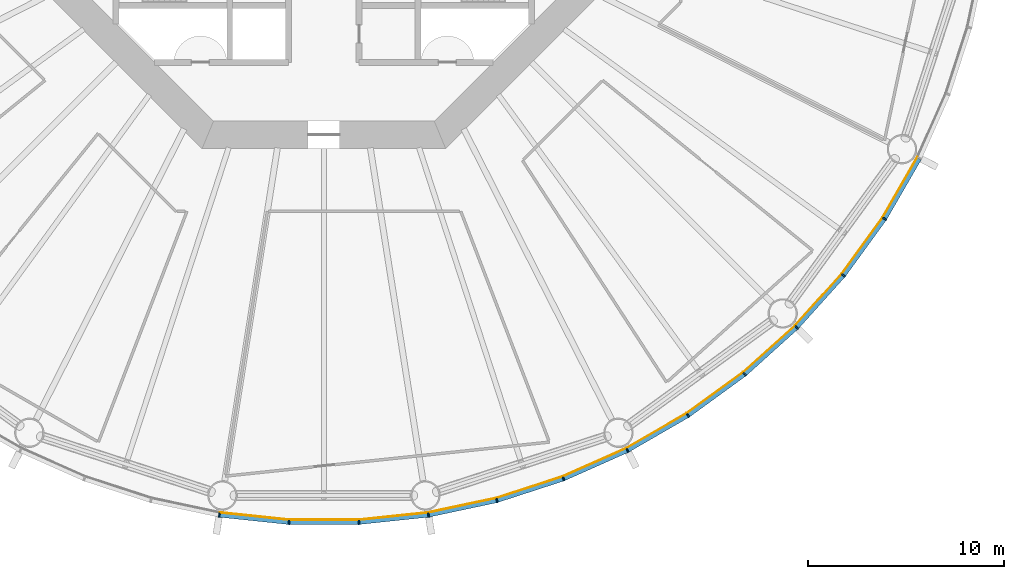
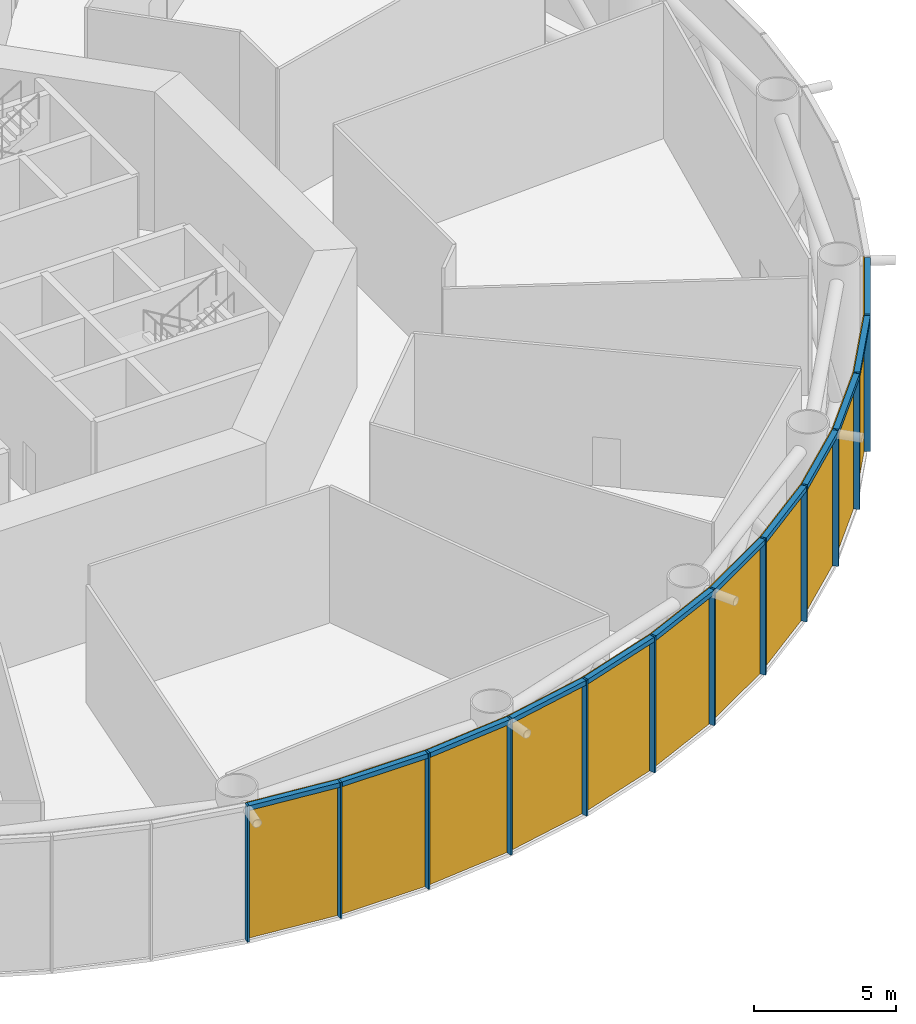
# One storey, part 9 of 14: 24 members, 4 curtain walls.
"""IFC4 building model written with IfcOpenShell, lengths in metres."""

import ifcopenshell
import ifcopenshell.guid

model = None  # the IFC model being written
_history = None  # IfcOwnerHistory: only IFC2X3 demands one
_inside = {}  # id of a spatial element -> (the spatial element, [elements in it])
_under = {}  # id of a project, library or spatial element -> (it, [spatial elements below it])
_declared = {}  # id of a project -> (the project, [libraries it declares])
_typed = {}  # id of a type object -> (the type object, [elements of that type])
_made_of = {}  # id of a material, layer set ... -> (it, [elements and type objects made of it])


def new_model(schema):
    """Start an empty IFC model of exactly this schema.

    Asked for "IFC4X3", IfcOpenShell would pick the latest addendum, in which some entities
    have other attributes; the version numbers below select the first issue.
    IFC2X3 requires an IfcOwnerHistory on every rooted entity: one is made here for all.
    """
    global model, _history
    if schema == "IFC4X3":
        model = ifcopenshell.file(schema_version=(4, 3, 0, 0))
    else:
        model = ifcopenshell.file(schema=schema)
    _inside.clear()
    _under.clear()
    _declared.clear()
    _typed.clear()
    _made_of.clear()
    _history = None
    if model.schema == "IFC2X3":
        org = make("IfcOrganization", Name="unknown")
        user = make(
            "IfcPersonAndOrganization",
            ThePerson=make("IfcPerson", FamilyName="unknown"),
            TheOrganization=org,
        )
        app = make(
            "IfcApplication",
            ApplicationDeveloper=org,
            Version="unknown",
            ApplicationFullName="unknown",
            ApplicationIdentifier="unknown",
        )
        _history = make(
            "IfcOwnerHistory",
            OwningUser=user,
            OwningApplication=app,
            ChangeAction="ADDED",
            CreationDate=0,
        )
    return model


def make(cls, **values):
    """One entity of the class cls with the attributes given. An attribute that is None is left unset."""
    return model.create_entity(
        cls, **{name: value for name, value in values.items() if value is not None}
    )


def rooted(cls, **values):
    """An entity with a GlobalId (a new one), such as an element, a storey or a relation."""
    return make(cls, GlobalId=ifcopenshell.guid.new(), OwnerHistory=_history, **values)


def si_unit(unit_type, name, prefix=None):
    """IfcSIUnit, for example si_unit("LENGTHUNIT", "METRE", prefix="MILLI")."""
    return make("IfcSIUnit", UnitType=unit_type, Prefix=prefix, Name=name)


def assignment(units):
    """IfcUnitAssignment: the units of a project."""
    return None if units is None else make("IfcUnitAssignment", Units=units)


def point(xyz):
    """IfcCartesianPoint."""
    return None if xyz is None else make("IfcCartesianPoint", Coordinates=xyz)


def direction(xyz):
    """IfcDirection."""
    return None if xyz is None else make("IfcDirection", DirectionRatios=xyz)


def frame(location, z_axis=None, x_axis=None):
    """IfcAxis2Placement3D, a coordinate frame: its origin and axes. An axis left out is left unset."""
    return make(
        "IfcAxis2Placement3D",
        Location=point(location),
        Axis=direction(z_axis),
        RefDirection=direction(x_axis),
    )


def frame_2d(location, x_axis=None):
    """IfcAxis2Placement2D, a coordinate frame in the plane: its origin and x axis."""
    return make(
        "IfcAxis2Placement2D", Location=point(location), RefDirection=direction(x_axis)
    )


def origin():
    """The frame at (0, 0, 0) with its axes left unset."""
    return frame((0.0, 0.0, 0.0))


def origin_2d():
    """The frame at (0, 0) in the plane with its x axis left unset."""
    return frame_2d((0.0, 0.0))


def place(relative_to, where):
    """IfcLocalPlacement: puts the frame where relative to a parent placement (None: the world)."""
    return make(
        "IfcLocalPlacement", PlacementRelTo=relative_to, RelativePlacement=where
    )


def context(
    kind, dimensions, precision=None, world=None, true_north=None, identifier=None
):
    """IfcGeometricRepresentationContext, for example the 3D "Model" context."""
    return make(
        "IfcGeometricRepresentationContext",
        ContextIdentifier=identifier,
        ContextType=kind,
        CoordinateSpaceDimension=dimensions,
        Precision=precision,
        WorldCoordinateSystem=world,
        TrueNorth=true_north,
    )


def subcontext(parent, identifier, kind, view, scale=None):
    """IfcGeometricRepresentationSubContext, for example "Body" below "Model"."""
    return make(
        "IfcGeometricRepresentationSubContext",
        ContextIdentifier=identifier,
        ContextType=kind,
        ParentContext=parent,
        TargetScale=scale,
        TargetView=view,
    )


def project(units=None, contexts=None):
    """IfcProject with its units and contexts."""
    return rooted(
        "IfcProject",
        Name="project",
        RepresentationContexts=contexts,
        UnitsInContext=assignment(units),
    )


def spatial(cls, under=None, at=None, **own):
    """A site, building, storey or space (cls), placed at a placement, below another one or the project."""
    s = rooted(cls, ObjectPlacement=at, **own)
    if under is not None:
        _under.setdefault(under.id(), (under, []))[1].append(s)
    return s


def polyline(points):
    """IfcPolyline through the points."""
    return make("IfcPolyline", Points=[point(p) for p in points])


def profile(cls, at=None, kind="AREA", **sizes):
    """A parametric profile (cls). Its sizes go by their IFC names, for example OverallWidth=200.0."""
    return make(cls, ProfileType=kind, Position=at, **sizes)


def rectangle(**sizes):
    """IfcRectangleProfileDef."""
    return profile("IfcRectangleProfileDef", **sizes)


def outline(outer, holes=None, kind="AREA"):
    """IfcArbitraryClosedProfileDef: a profile drawn as a closed curve; with holes, ...WithVoids."""
    if holes is None:
        return make("IfcArbitraryClosedProfileDef", ProfileType=kind, OuterCurve=outer)
    return make(
        "IfcArbitraryProfileDefWithVoids",
        ProfileType=kind,
        OuterCurve=outer,
        InnerCurves=holes,
    )


def extrude(swept, where, along, depth):
    """IfcExtrudedAreaSolid: the profile swept, set in the frame where, extruded along a direction by depth."""
    return make(
        "IfcExtrudedAreaSolid",
        SweptArea=swept,
        Position=where,
        ExtrudedDirection=direction(along),
        Depth=depth,
    )


def shape(context_of_items, identifier, shape_type, items):
    """IfcShapeRepresentation: the items that make up one representation, for example the "Body"."""
    return make(
        "IfcShapeRepresentation",
        ContextOfItems=context_of_items,
        RepresentationIdentifier=identifier,
        RepresentationType=shape_type,
        Items=items,
    )


def material(Name=None, Category=None):
    """IfcMaterial."""
    return make("IfcMaterial", Name=Name, Category=Category)


def layer(
    of_material, thickness, ventilated=None, Name=None, Category=None, Priority=None
):
    """IfcMaterialLayer: one layer of a wall or slab, of a material (None: an air gap)."""
    return make(
        "IfcMaterialLayer",
        Material=of_material,
        LayerThickness=thickness,
        IsVentilated=ventilated,
        Name=Name,
        Category=Category,
        Priority=Priority,
    )


def layer_set(layers, Name=None):
    """IfcMaterialLayerSet."""
    return make("IfcMaterialLayerSet", MaterialLayers=layers, LayerSetName=Name)


def material_profile(
    of_material, cross_section, Name=None, Category=None, Priority=None
):
    """IfcMaterialProfile: a cross section and its material."""
    return make(
        "IfcMaterialProfile",
        Name=Name,
        Material=of_material,
        Profile=cross_section,
        Priority=Priority,
        Category=Category,
    )


def profile_set(profiles, Name=None, composite=None):
    """IfcMaterialProfileSet."""
    return make(
        "IfcMaterialProfileSet",
        Name=Name,
        MaterialProfiles=profiles,
        CompositeProfile=composite,
    )


def made_of(thing, what):
    """Note that an element or type object is made of a material, layer set ...; save() writes the relation."""
    if what is not None:
        _made_of.setdefault(what.id(), (what, []))[1].append(thing)
    return thing


def type_object(cls, material=None, **own):
    """A type object (cls), such as IfcWallType, which elements share."""
    return made_of(rooted(cls, **own), material)


def element(
    cls,
    number,
    at=None,
    inside=None,
    cuts=None,
    type_object=None,
    material=None,
    context=None,
    identifier="Body",
    shape_type=None,
    held_by="IfcProductDefinitionShape",
    body=None,
    shapes=None,
    **own,
):
    """One element of the class cls, such as IfcWall. Its Tag is "e" and its number.

    at: its placement. inside: the storey or other place that contains it. cuts: it is an
    opening in that element (IfcRelVoidsElement). A single representation is given by context,
    identifier, shape_type and body (its items); several are given by shapes. held_by: the class
    of the entity that holds the representations. save() writes the other relations.
    """
    e = rooted(cls, Tag="e%d" % number, ObjectPlacement=at, **own)
    if body is not None:
        shapes = [shape(context, identifier, shape_type, body)]
    if shapes is not None:
        e.Representation = make(held_by, Representations=shapes)
    if inside is not None:
        _inside.setdefault(inside.id(), (inside, []))[1].append(e)
    if cuts is not None:
        rooted(
            "IfcRelVoidsElement", RelatingBuildingElement=cuts, RelatedOpeningElement=e
        )
    if type_object is not None:
        _typed.setdefault(type_object.id(), (type_object, []))[1].append(e)
    return made_of(e, material)


def aggregate(whole, parts):
    """IfcRelAggregates: a whole, such as a stair, and the parts it consists of."""
    return rooted("IfcRelAggregates", RelatingObject=whole, RelatedObjects=parts)


def save(model, path):
    """Write the relations noted so far, then the file.

    IfcRelAggregates (storeys below a building ...), IfcRelContainedInSpatialStructure (elements
    in a storey), IfcRelDefinesByType, IfcRelAssociatesMaterial and IfcRelDeclares: one each for
    every whole, place, type object, material and project.
    """
    for whole, parts in _under.values():
        aggregate(whole, parts)
    for where, things in _inside.values():
        rooted(
            "IfcRelContainedInSpatialStructure",
            RelatedElements=things,
            RelatingStructure=where,
        )
    for kind, things in _typed.values():
        rooted("IfcRelDefinesByType", RelatedObjects=things, RelatingType=kind)
    for what, things in _made_of.values():
        rooted("IfcRelAssociatesMaterial", RelatedObjects=things, RelatingMaterial=what)
    for by, libraries in _declared.values():
        rooted("IfcRelDeclares", RelatingContext=by, RelatedDefinitions=libraries)
    model.write(path)


model = new_model("IFC4")

# Units and contexts
model_context = context("Model", 3, precision=1e-05, world=origin(), true_north=direction((0.0, 1.0)))
body_context = subcontext(model_context, "Body", "Model", "MODEL_VIEW")
ifc_project = project(units=[si_unit("LENGTHUNIT", "METRE"), si_unit("AREAUNIT", "SQUARE_METRE"), si_unit("VOLUMEUNIT", "CUBIC_METRE"), si_unit("PLANEANGLEUNIT", "RADIAN"), si_unit("MASSUNIT", "GRAM", prefix="KILO")], contexts=[model_context])

# Member
ifc_material_1 = material(Name="Anodised aluminium", Category="aluminium")
ifc_material_profile_1 = material_profile(ifc_material_1, rectangle(XDim=0.074951171875, YDim=0.219970703125, at=origin_2d()), Name="Mullion 75 x 220 mm anodised aluminium")
ifc_profile_set_1 = profile_set([ifc_material_profile_1], Name="Anodised aluminium")
member_type_1 = type_object("IfcMemberType", Name="Mullion 75 x 220 mm anodised aluminium", PredefinedType="MULLION", material=ifc_profile_set_1)
site_placement = place(None, origin())
building_placement = place(site_placement, origin())
storey_placement = place(building_placement, frame((0.0, 0.0, 12.0)))
member_1_placement = place(storey_placement, frame((84.6640625, 46.31005859375, 0.0), z_axis=(0.0, 0.0, 1.0), x_axis=(0.987688340595, -0.15643446504, 0.0)))
member_1 = element("IfcMember", 1, at=member_1_placement, type_object=member_type_1, Name="MULLION L01-42", PredefinedType="MULLION", context=body_context, shape_type="SweptSolid", body=[
    extrude(rectangle(XDim=0.074951171875, YDim=0.219970703125, at=origin_2d()), origin(), (0.0, 0.0, 1.0), 5.85009765625),
])

member_2_placement = place(storey_placement, frame((88.21484375, 45.936767578125, 0.0), z_axis=(0.0, 0.0, 1.0), x_axis=(0.998629534755, -0.052335956243, 0.0)))
member_2 = element("IfcMember", 2, at=member_2_placement, type_object=member_type_1, Name="MULLION L01-43", PredefinedType="MULLION", context=body_context, shape_type="SweptSolid", body=[
    extrude(rectangle(XDim=0.074951171875, YDim=0.219970703125, at=origin_2d()), origin(), (0.0, 0.0, 1.0), 5.85009765625),
])

member_3_placement = place(storey_placement, frame((91.78515625, 45.936767578125, 0.0), z_axis=(0.0, 0.0, 1.0), x_axis=(0.998629534755, 0.052335956243, 0.0)))
member_3 = element("IfcMember", 3, at=member_3_placement, type_object=member_type_1, Name="MULLION L01-44", PredefinedType="MULLION", context=body_context, shape_type="SweptSolid", body=[
    extrude(rectangle(XDim=0.074951171875, YDim=0.219970703125, at=origin_2d()), origin(), (0.0, 0.0, 1.0), 5.85009765625),
])

member_4_placement = place(storey_placement, frame((95.3359375, 46.31005859375, 0.0), z_axis=(0.0, 0.0, 1.0), x_axis=(0.987688340595, 0.15643446504, 0.0)))
member_4 = element("IfcMember", 4, at=member_4_placement, type_object=member_type_1, Name="MULLION L01-45", PredefinedType="MULLION", context=body_context, shape_type="SweptSolid", body=[
    extrude(rectangle(XDim=0.074951171875, YDim=0.219970703125, at=origin_2d()), origin(), (0.0, 0.0, 1.0), 5.85009765625),
])

member_5_placement = place(storey_placement, frame((98.828369140625, 47.05224609375, 0.0), z_axis=(0.0, 0.0, 1.0), x_axis=(0.965925826289, 0.258819045103, 0.0)))
member_5 = element("IfcMember", 5, at=member_5_placement, type_object=member_type_1, Name="MULLION L01-46", PredefinedType="MULLION", context=body_context, shape_type="SweptSolid", body=[
    extrude(rectangle(XDim=0.074951171875, YDim=0.219970703125, at=origin_2d()), origin(), (0.0, 0.0, 1.0), 5.85009765625),
])

member_6_placement = place(storey_placement, frame((102.223876953125, 48.155517578125, 0.0), z_axis=(0.0, 0.0, 1.0), x_axis=(0.933580426497, 0.358367949545, 0.0)))
member_6 = element("IfcMember", 6, at=member_6_placement, type_object=member_type_1, Name="MULLION L01-47", PredefinedType="MULLION", context=body_context, shape_type="SweptSolid", body=[
    extrude(rectangle(XDim=0.074951171875, YDim=0.219970703125, at=origin_2d()), origin(), (0.0, 0.0, 1.0), 5.85009765625),
])

member_7_placement = place(storey_placement, frame((105.485595703125, 49.607666015625, 0.0), z_axis=(0.0, 0.0, 1.0), x_axis=(0.891006524188, 0.45399049974, 0.0)))
member_7 = element("IfcMember", 7, at=member_7_placement, type_object=member_type_1, Name="MULLION L01-48", PredefinedType="MULLION", context=body_context, shape_type="SweptSolid", body=[
    extrude(rectangle(XDim=0.074951171875, YDim=0.219970703125, at=origin_2d()), origin(), (0.0, 0.0, 1.0), 5.85009765625),
])

member_8_placement = place(storey_placement, frame((108.57763671875, 51.39306640625, 0.0), z_axis=(0.0, 0.0, 1.0), x_axis=(0.838670567945, 0.544639035015, 0.0)))
member_8 = element("IfcMember", 8, at=member_8_placement, type_object=member_type_1, Name="MULLION L01-49", PredefinedType="MULLION", context=body_context, shape_type="SweptSolid", body=[
    extrude(rectangle(XDim=0.074951171875, YDim=0.219970703125, at=origin_2d()), origin(), (0.0, 0.0, 1.0), 5.85009765625),
])

member_9_placement = place(storey_placement, frame((111.466064453125, 53.491455078125, 0.0), z_axis=(0.0, 0.0, 1.0), x_axis=(0.777145961457, 0.62932039105, 0.0)))
member_9 = element("IfcMember", 9, at=member_9_placement, type_object=member_type_1, Name="MULLION L01-50", PredefinedType="MULLION", context=body_context, shape_type="SweptSolid", body=[
    extrude(rectangle(XDim=0.074951171875, YDim=0.219970703125, at=origin_2d()), origin(), (0.0, 0.0, 1.0), 5.85009765625),
])

member_10_placement = place(storey_placement, frame((114.119384765625, 55.880615234375, 0.0), z_axis=(0.0, 0.0, 1.0), x_axis=(0.707106781187, 0.707106781187, 0.0)))
member_10 = element("IfcMember", 10, at=member_10_placement, type_object=member_type_1, Name="MULLION L01-51", PredefinedType="MULLION", context=body_context, shape_type="SweptSolid", body=[
    extrude(rectangle(XDim=0.074951171875, YDim=0.219970703125, at=origin_2d()), origin(), (0.0, 0.0, 1.0), 5.85009765625),
])

member_11_placement = place(storey_placement, frame((116.508544921875, 58.533935546875, 0.0), z_axis=(0.0, 0.0, 1.0), x_axis=(0.62932039105, 0.777145961457, 0.0)))
member_11 = element("IfcMember", 11, at=member_11_placement, type_object=member_type_1, Name="MULLION L01-52", PredefinedType="MULLION", context=body_context, shape_type="SweptSolid", body=[
    extrude(rectangle(XDim=0.074951171875, YDim=0.219970703125, at=origin_2d()), origin(), (0.0, 0.0, 1.0), 5.85009765625),
])

member_12_placement = place(storey_placement, frame((118.60693359375, 61.42236328125, 0.0), z_axis=(0.0, 0.0, 1.0), x_axis=(0.544639035015, 0.838670567945, 0.0)))
member_12 = element("IfcMember", 12, at=member_12_placement, type_object=member_type_1, Name="MULLION L01-53", PredefinedType="MULLION", context=body_context, shape_type="SweptSolid", body=[
    extrude(rectangle(XDim=0.074951171875, YDim=0.219970703125, at=origin_2d()), origin(), (0.0, 0.0, 1.0), 5.85009765625),
])

ifc_material_2 = material(Name="Anodised aluminium", Category="aluminium")
ifc_material_profile_2 = material_profile(ifc_material_2, rectangle(XDim=0.219970703125, YDim=0.199951171875, at=origin_2d()), Name="Transom 200 x 220 mm anodised aluminium")
ifc_profile_set_2 = profile_set([ifc_material_profile_2], Name="Anodised aluminium")
member_type_2 = type_object("IfcMemberType", Name="Transom 200 x 220 mm anodised aluminium", PredefinedType="USERDEFINED", material=ifc_profile_set_2)
member_13_placement = place(storey_placement, frame((84.70703125, 46.30517578125, 5.75), z_axis=(0.994526551648, -0.104484152234, 0.0), x_axis=(0.104484152234, 0.994526551648, 0.0)))
member_13 = element("IfcMember", 13, at=member_13_placement, type_object=member_type_2, Name="TRANSOM L01-42", ObjectType="TRANSOM", PredefinedType="USERDEFINED", context=body_context, shape_type="SweptSolid", body=[
    extrude(rectangle(XDim=0.219970703125, YDim=0.199951171875, at=origin_2d()), origin(), (0.0, 0.0, 1.0), 3.48388671875),
])

member_14_placement = place(storey_placement, frame((88.258056640625, 45.9365234375, 5.75), z_axis=(1.0, 0.0, 0.0), x_axis=(0.0, 1.0, 0.0)))
member_14 = element("IfcMember", 14, at=member_14_placement, type_object=member_type_2, Name="TRANSOM L01-43", ObjectType="TRANSOM", PredefinedType="USERDEFINED", context=body_context, shape_type="SweptSolid", body=[
    extrude(rectangle(XDim=0.219970703125, YDim=0.199951171875, at=origin_2d()), origin(), (0.0, 0.0, 1.0), 3.48388671875),
])

member_15_placement = place(storey_placement, frame((91.828125, 45.941162109375, 5.75), z_axis=(0.994526551648, 0.104484152234, 0.0), x_axis=(-0.104484152234, 0.994526551648, 0.0)))
member_15 = element("IfcMember", 15, at=member_15_placement, type_object=member_type_2, Name="TRANSOM L01-44", ObjectType="TRANSOM", PredefinedType="USERDEFINED", context=body_context, shape_type="SweptSolid", body=[
    extrude(rectangle(XDim=0.219970703125, YDim=0.199951171875, at=origin_2d()), origin(), (0.0, 0.0, 1.0), 3.48388671875),
])

member_16_placement = place(storey_placement, frame((95.37841796875, 46.31884765625, 5.75), z_axis=(0.978145669426, 0.207920776701, 0.0), x_axis=(-0.207920776701, 0.978145669426, 0.0)))
member_16 = element("IfcMember", 16, at=member_16_placement, type_object=member_type_2, Name="TRANSOM L01-45", ObjectType="TRANSOM", PredefinedType="USERDEFINED", context=body_context, shape_type="SweptSolid", body=[
    extrude(rectangle(XDim=0.219970703125, YDim=0.199951171875, at=origin_2d()), origin(), (0.0, 0.0, 1.0), 3.48388671875),
])

member_17_placement = place(storey_placement, frame((98.869384765625, 47.0654296875, 5.75), z_axis=(0.951052605696, 0.309029029702, 0.0), x_axis=(-0.309029029702, 0.951052605696, 0.0)))
member_17 = element("IfcMember", 17, at=member_17_placement, type_object=member_type_2, Name="TRANSOM L01-46", ObjectType="TRANSOM", PredefinedType="USERDEFINED", context=body_context, shape_type="SweptSolid", body=[
    extrude(rectangle(XDim=0.219970703125, YDim=0.199951171875, at=origin_2d()), origin(), (0.0, 0.0, 1.0), 3.484130859375),
])

member_18_placement = place(storey_placement, frame((102.263427734375, 48.173095703125, 5.75), z_axis=(0.913545487371, 0.406736576304, 0.0), x_axis=(-0.406736576304, 0.913545487371, 0.0)))
member_18 = element("IfcMember", 18, at=member_18_placement, type_object=member_type_2, Name="TRANSOM L01-47", ObjectType="TRANSOM", PredefinedType="USERDEFINED", context=body_context, shape_type="SweptSolid", body=[
    extrude(rectangle(XDim=0.219970703125, YDim=0.199951171875, at=origin_2d()), origin(), (0.0, 0.0, 1.0), 3.48388671875),
])

member_19_placement = place(storey_placement, frame((105.523193359375, 49.629150390625, 5.75), z_axis=(0.866022206254, 0.500005538244, 0.0), x_axis=(-0.500005538244, 0.866022206254, 0.0)))
member_19 = element("IfcMember", 19, at=member_19_placement, type_object=member_type_2, Name="TRANSOM L01-48", ObjectType="TRANSOM", PredefinedType="USERDEFINED", context=body_context, shape_type="SweptSolid", body=[
    extrude(rectangle(XDim=0.219970703125, YDim=0.199951171875, at=origin_2d()), origin(), (0.0, 0.0, 1.0), 3.48388671875),
])

member_20_placement = place(storey_placement, frame((108.61279296875, 51.418212890625, 5.75), z_axis=(0.80899056535, 0.587821627006, 0.0), x_axis=(-0.587821627006, 0.80899056535, 0.0)))
member_20 = element("IfcMember", 20, at=member_20_placement, type_object=member_type_2, Name="TRANSOM L01-49", ObjectType="TRANSOM", PredefinedType="USERDEFINED", context=body_context, shape_type="SweptSolid", body=[
    extrude(rectangle(XDim=0.219970703125, YDim=0.199951171875, at=origin_2d()), origin(), (0.0, 0.0, 1.0), 3.48388671875),
])

member_21_placement = place(storey_placement, frame((111.498291015625, 53.520263671875, 5.75), z_axis=(0.743137329876, 0.669138930974, 0.0), x_axis=(-0.669138930974, 0.743137329876, 0.0)))
member_21 = element("IfcMember", 21, at=member_21_placement, type_object=member_type_2, Name="TRANSOM L01-50", ObjectType="TRANSOM", PredefinedType="USERDEFINED", context=body_context, shape_type="SweptSolid", body=[
    extrude(rectangle(XDim=0.219970703125, YDim=0.199951171875, at=origin_2d()), origin(), (0.0, 0.0, 1.0), 3.484130859375),
])

member_22_placement = place(storey_placement, frame((114.1484375, 55.91259765625, 5.75), z_axis=(0.669138930974, 0.743137329876, 0.0), x_axis=(-0.743137329876, 0.669138930974, 0.0)))
member_22 = element("IfcMember", 22, at=member_22_placement, type_object=member_type_2, Name="TRANSOM L01-51", ObjectType="TRANSOM", PredefinedType="USERDEFINED", context=body_context, shape_type="SweptSolid", body=[
    extrude(rectangle(XDim=0.219970703125, YDim=0.199951171875, at=origin_2d()), origin(), (0.0, 0.0, 1.0), 3.484130859375),
])

member_23_placement = place(storey_placement, frame((116.533935546875, 58.56884765625, 5.75), z_axis=(0.587821627006, 0.80899056535, 0.0), x_axis=(-0.80899056535, 0.587821627006, 0.0)))
member_23 = element("IfcMember", 23, at=member_23_placement, type_object=member_type_2, Name="TRANSOM L01-52", ObjectType="TRANSOM", PredefinedType="USERDEFINED", context=body_context, shape_type="SweptSolid", body=[
    extrude(rectangle(XDim=0.219970703125, YDim=0.199951171875, at=origin_2d()), origin(), (0.0, 0.0, 1.0), 3.48388671875),
])

member_24_placement = place(storey_placement, frame((118.62890625, 61.459716796875, 5.75), z_axis=(0.500005538244, 0.866022206254, 0.0), x_axis=(-0.866022206254, 0.500005538244, 0.0)))
member_24 = element("IfcMember", 24, at=member_24_placement, type_object=member_type_2, Name="TRANSOM L01-53", ObjectType="TRANSOM", PredefinedType="USERDEFINED", context=body_context, shape_type="SweptSolid", body=[
    extrude(rectangle(XDim=0.219970703125, YDim=0.199951171875, at=origin_2d()), origin(), (0.0, 0.0, 1.0), 3.48388671875),
])

# Site, building, storey
site = spatial("IfcSite", under=ifc_project, at=site_placement, CompositionType="ELEMENT")
building = spatial("IfcBuilding", under=site, at=building_placement, Name="Entoto Ring Tower", CompositionType="ELEMENT")
storey = spatial("IfcBuildingStorey", under=building, at=storey_placement, Name="L01", CompositionType="ELEMENT", Elevation=12.0)

# Curtain wall
ifc_material_3 = material(Name="Clear low-iron glass", Category="glass")
ifc_layer = layer(ifc_material_3, 0.0400390625)
ifc_layer_set = layer_set([ifc_layer], Name="Clear low-iron glass")
curtain_wall_type = type_object("IfcCurtainWallType", Name="Curtain wall system CW1 glazing 40 mm", PredefinedType="NOTDEFINED", material=ifc_layer_set)
curtain_wall_1_placement = place(storey_placement, origin())
curtain_wall_1 = element("IfcCurtainWall", 25, at=curtain_wall_1_placement, inside=storey, type_object=curtain_wall_type, Name="CW1 L01-15", PredefinedType="NOTDEFINED", context=body_context, shape_type="SweptSolid", body=[
    extrude(outline(polyline([(84.68115234375, 46.418701171875), (88.220458984375, 46.046630859375), (91.779541015625, 46.046630859375), (95.31884765625, 46.418701171875), (95.3125, 46.458251953125), (91.77734375, 46.086669921875), (88.22265625, 46.086669921875), (84.6875, 46.458251953125), (84.68115234375, 46.418701171875)])), origin(), (0.0, 0.0, 1.0), 5.85009765625),
])

aggregate(curtain_wall_1, [member_1, member_2, member_3, member_13, member_14, member_15])

curtain_wall_2_placement = place(storey_placement, origin())
curtain_wall_2 = element("IfcCurtainWall", 26, at=curtain_wall_2_placement, inside=storey, type_object=curtain_wall_type, Name="CW1 L01-16", PredefinedType="NOTDEFINED", context=body_context, shape_type="SweptSolid", body=[
    extrude(outline(polyline([(95.31884765625, 46.418701171875), (98.7998046875, 47.158447265625), (102.1845703125, 48.25830078125), (105.435791015625, 49.705810546875), (105.41748046875, 49.741455078125), (102.170166015625, 48.295654296875), (98.78955078125, 47.197265625), (95.3125, 46.458251953125), (95.31884765625, 46.418701171875)])), origin(), (0.0, 0.0, 1.0), 5.85009765625),
])

aggregate(curtain_wall_2, [member_4, member_5, member_6, member_16, member_17, member_18])

curtain_wall_3_placement = place(storey_placement, origin())
curtain_wall_3 = element("IfcCurtainWall", 27, at=curtain_wall_3_placement, inside=storey, type_object=curtain_wall_type, Name="CW1 L01-17", PredefinedType="NOTDEFINED", context=body_context, shape_type="SweptSolid", body=[
    extrude(outline(polyline([(105.435791015625, 49.705810546875), (108.517822265625, 51.485107421875), (111.39697265625, 53.5771484375), (114.041748046875, 55.958251953125), (114.013427734375, 55.986572265625), (111.37158203125, 53.608154296875), (108.495849609375, 51.518798828125), (105.41748046875, 49.741455078125), (105.435791015625, 49.705810546875)])), origin(), (0.0, 0.0, 1.0), 5.85009765625),
])

aggregate(curtain_wall_3, [member_7, member_8, member_9, member_19, member_20, member_21])

curtain_wall_4_placement = place(storey_placement, origin())
curtain_wall_4 = element("IfcCurtainWall", 28, at=curtain_wall_4_placement, inside=storey, type_object=curtain_wall_type, Name="CW1 L01-18", PredefinedType="NOTDEFINED", context=body_context, shape_type="SweptSolid", body=[
    extrude(outline(polyline([(114.041748046875, 55.958251953125), (116.4228515625, 58.60302734375), (118.514892578125, 61.482177734375), (120.294189453125, 64.564208984375), (120.258544921875, 64.58251953125), (118.481201171875, 61.504150390625), (116.391845703125, 58.62841796875), (114.013427734375, 55.986572265625), (114.041748046875, 55.958251953125)])), origin(), (0.0, 0.0, 1.0), 5.85009765625),
])

aggregate(curtain_wall_4, [member_10, member_11, member_12, member_22, member_23, member_24])

save(model, "model.ifc")
